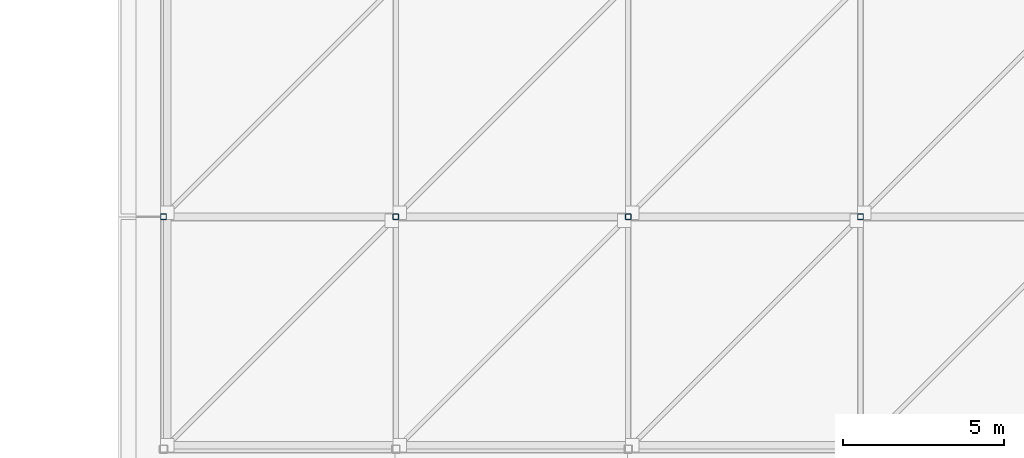
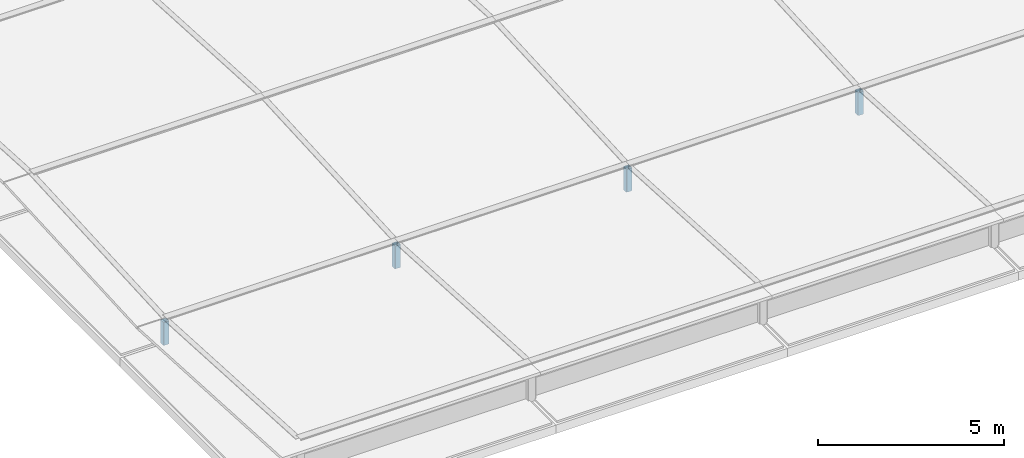
# One storey, part 8 of 15: 4 members.
"""IFC4 building model written with IfcOpenShell, lengths in metres."""

from ifc_helpers import new_model, si_unit, direction, frame, origin, origin_2d, place, context, subcontext, project, spatial, hollow_rectangle, extrude, material, material_profile, profile_set, type_object, element, save


model = new_model("IFC4")

# Units and contexts
model_context = context("Model", 3, precision=1e-05, world=origin(), true_north=direction((0.0, 1.0)))
body_context = subcontext(model_context, "Body", "Model", "MODEL_VIEW")
ifc_project = project(units=[si_unit("LENGTHUNIT", "METRE"), si_unit("AREAUNIT", "SQUARE_METRE"), si_unit("VOLUMEUNIT", "CUBIC_METRE"), si_unit("PLANEANGLEUNIT", "RADIAN"), si_unit("MASSUNIT", "GRAM", prefix="KILO")], contexts=[model_context])

# Site, building, storey
site_placement = place(None, origin())
site = spatial("IfcSite", under=ifc_project, at=site_placement, CompositionType="ELEMENT")
building_placement = place(site_placement, origin())
building = spatial("IfcBuilding", under=site, at=building_placement, Name="Kavelor Marine Aquarium", CompositionType="ELEMENT")
storey_placement = place(building_placement, frame((0.0, 0.0, 25.56005859375)))
storey = spatial("IfcBuildingStorey", under=building, at=storey_placement, Name="RF", CompositionType="ELEMENT", Elevation=25.56005859375)

# Members
ifc_material = material(Name="Steel S355", Category="steel")
ifc_material_profile = material_profile(ifc_material, hollow_rectangle(XDim=0.179931640625, YDim=0.179931640625, WallThickness=0.008056640625, InnerFilletRadius=0.011962890625, OuterFilletRadius=0.02001953125, at=origin_2d()), Name="SHS 180x180x8.0")
ifc_profile_set = profile_set([ifc_material_profile], Name="Steel S355")
member_type = type_object("IfcMemberType", Name="ST-PV2", PredefinedType="CHORD", material=ifc_profile_set)
for number, where, z_axis, x_axis, name in (
    (1, (118.39990234375, 74.800048828125, 0.0), (0.0, 0.0, 1.0), (1.0, 0.0, 0.0), "pv:p:16_10"),
    (2, (125.60009765625, 74.800048828125, 0.0), (0.0, 0.0, 1.0), (1.0, 0.0, 0.0), "pv:p:17_10"),
    (3, (132.800048828125, 74.800048828125, 0.0), (0.0, 0.0, 1.0), (1.0, 0.0, 0.0), "pv:p:18_10"),
    (4, (140.0, 74.800048828125, 0.0), (0.0, 0.0, 1.0), (1.0, 0.0, 0.0), "pv:p:19_10"),
):
    element("IfcMember", number, at=place(storey_placement, frame(where, z_axis=z_axis, x_axis=x_axis)), inside=storey, type_object=member_type, Name=name, PredefinedType="CHORD", context=body_context, shape_type="SweptSolid", body=[
        extrude(hollow_rectangle(XDim=0.179931640625, YDim=0.179931640625, WallThickness=0.008056640625, InnerFilletRadius=0.011962890625, OuterFilletRadius=0.02001953125, at=origin_2d()), origin(), (0.0, 0.0, 1.0), 0.75),
    ])

save(model, "model.ifc")
